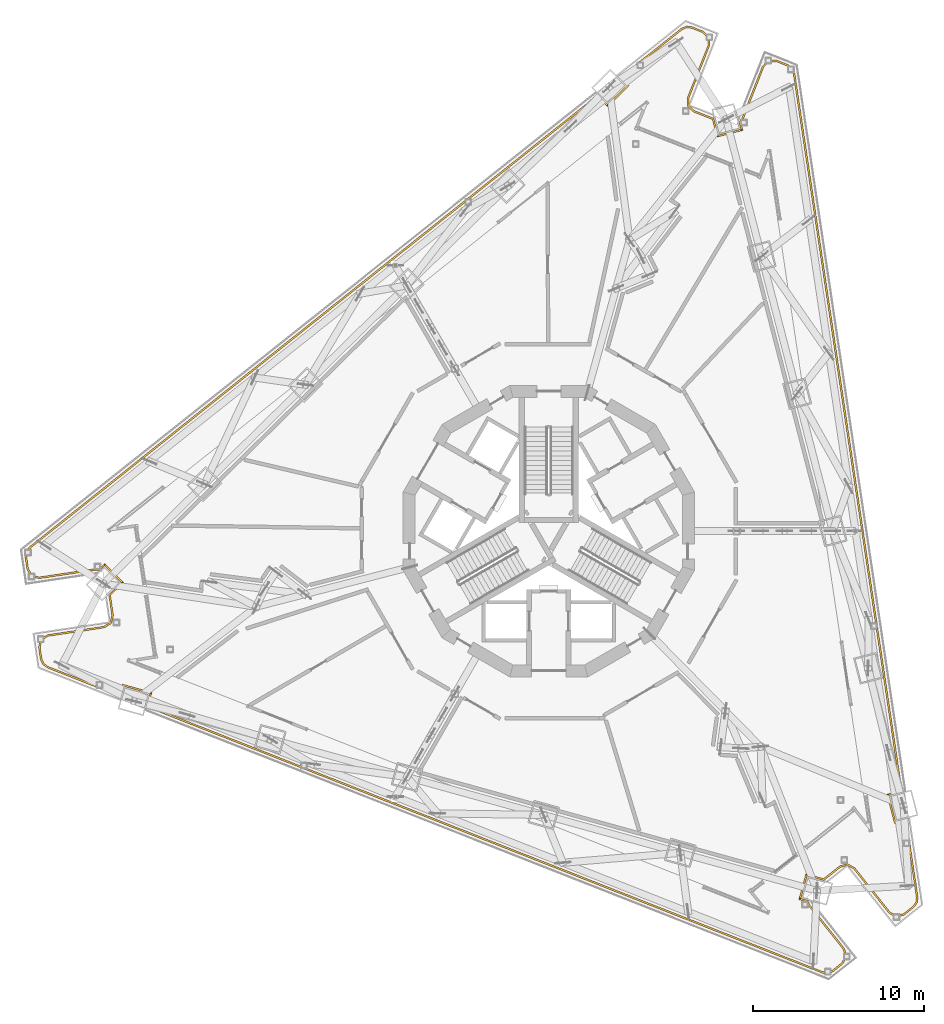
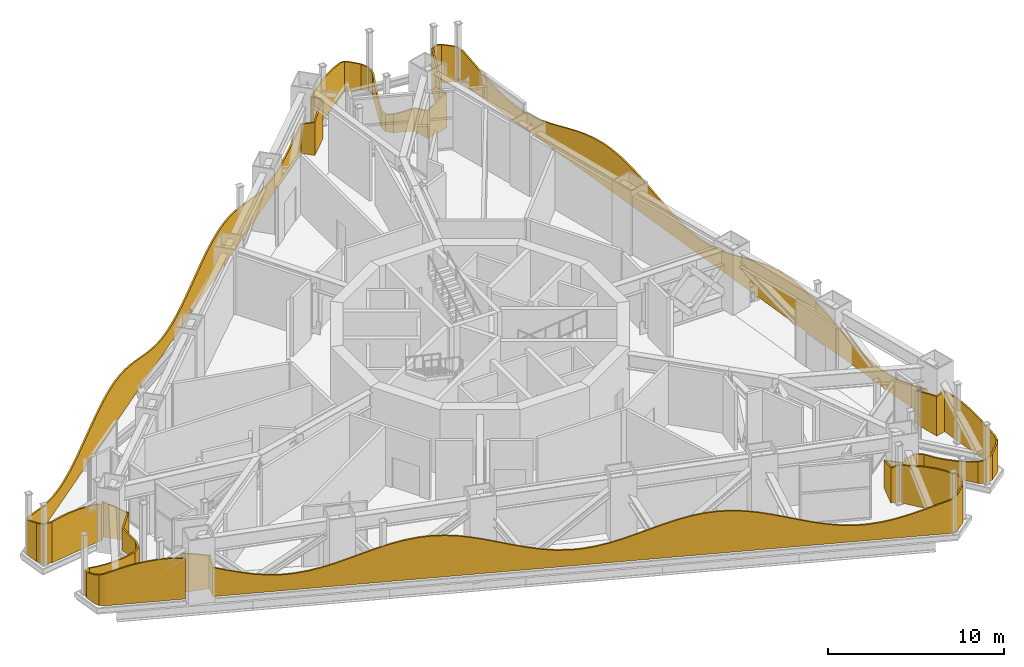
# One storey, part 22 of 27: 1 railing.
"""IFC4 building model written with IfcOpenShell, lengths in metres."""

import ifcopenshell
import ifcopenshell.guid

model = None  # the IFC model being written
_history = None  # IfcOwnerHistory: only IFC2X3 demands one
_inside = {}  # id of a spatial element -> (the spatial element, [elements in it])
_under = {}  # id of a project, library or spatial element -> (it, [spatial elements below it])
_declared = {}  # id of a project -> (the project, [libraries it declares])
_typed = {}  # id of a type object -> (the type object, [elements of that type])
_made_of = {}  # id of a material, layer set ... -> (it, [elements and type objects made of it])


def new_model(schema):
    """Start an empty IFC model of exactly this schema.

    Asked for "IFC4X3", IfcOpenShell would pick the latest addendum, in which some entities
    have other attributes; the version numbers below select the first issue.
    IFC2X3 requires an IfcOwnerHistory on every rooted entity: one is made here for all.
    """
    global model, _history
    if schema == "IFC4X3":
        model = ifcopenshell.file(schema_version=(4, 3, 0, 0))
    else:
        model = ifcopenshell.file(schema=schema)
    _inside.clear()
    _under.clear()
    _declared.clear()
    _typed.clear()
    _made_of.clear()
    _history = None
    if model.schema == "IFC2X3":
        org = make("IfcOrganization", Name="unknown")
        user = make(
            "IfcPersonAndOrganization",
            ThePerson=make("IfcPerson", FamilyName="unknown"),
            TheOrganization=org,
        )
        app = make(
            "IfcApplication",
            ApplicationDeveloper=org,
            Version="unknown",
            ApplicationFullName="unknown",
            ApplicationIdentifier="unknown",
        )
        _history = make(
            "IfcOwnerHistory",
            OwningUser=user,
            OwningApplication=app,
            ChangeAction="ADDED",
            CreationDate=0,
        )
    return model


def make(cls, **values):
    """One entity of the class cls with the attributes given. An attribute that is None is left unset."""
    return model.create_entity(
        cls, **{name: value for name, value in values.items() if value is not None}
    )


def rooted(cls, **values):
    """An entity with a GlobalId (a new one), such as an element, a storey or a relation."""
    return make(cls, GlobalId=ifcopenshell.guid.new(), OwnerHistory=_history, **values)


def si_unit(unit_type, name, prefix=None):
    """IfcSIUnit, for example si_unit("LENGTHUNIT", "METRE", prefix="MILLI")."""
    return make("IfcSIUnit", UnitType=unit_type, Prefix=prefix, Name=name)


def assignment(units):
    """IfcUnitAssignment: the units of a project."""
    return None if units is None else make("IfcUnitAssignment", Units=units)


def point(xyz):
    """IfcCartesianPoint."""
    return None if xyz is None else make("IfcCartesianPoint", Coordinates=xyz)


def direction(xyz):
    """IfcDirection."""
    return None if xyz is None else make("IfcDirection", DirectionRatios=xyz)


def frame(location, z_axis=None, x_axis=None):
    """IfcAxis2Placement3D, a coordinate frame: its origin and axes. An axis left out is left unset."""
    return make(
        "IfcAxis2Placement3D",
        Location=point(location),
        Axis=direction(z_axis),
        RefDirection=direction(x_axis),
    )


def origin():
    """The frame at (0, 0, 0) with its axes left unset."""
    return frame((0.0, 0.0, 0.0))


def place(relative_to, where):
    """IfcLocalPlacement: puts the frame where relative to a parent placement (None: the world)."""
    return make(
        "IfcLocalPlacement", PlacementRelTo=relative_to, RelativePlacement=where
    )


def context(
    kind, dimensions, precision=None, world=None, true_north=None, identifier=None
):
    """IfcGeometricRepresentationContext, for example the 3D "Model" context."""
    return make(
        "IfcGeometricRepresentationContext",
        ContextIdentifier=identifier,
        ContextType=kind,
        CoordinateSpaceDimension=dimensions,
        Precision=precision,
        WorldCoordinateSystem=world,
        TrueNorth=true_north,
    )


def subcontext(parent, identifier, kind, view, scale=None):
    """IfcGeometricRepresentationSubContext, for example "Body" below "Model"."""
    return make(
        "IfcGeometricRepresentationSubContext",
        ContextIdentifier=identifier,
        ContextType=kind,
        ParentContext=parent,
        TargetScale=scale,
        TargetView=view,
    )


def project(units=None, contexts=None):
    """IfcProject with its units and contexts."""
    return rooted(
        "IfcProject",
        Name="project",
        RepresentationContexts=contexts,
        UnitsInContext=assignment(units),
    )


def spatial(cls, under=None, at=None, **own):
    """A site, building, storey or space (cls), placed at a placement, below another one or the project."""
    s = rooted(cls, ObjectPlacement=at, **own)
    if under is not None:
        _under.setdefault(under.id(), (under, []))[1].append(s)
    return s


def polyline(points):
    """IfcPolyline through the points."""
    return make("IfcPolyline", Points=[point(p) for p in points])


def outline(outer, holes=None, kind="AREA"):
    """IfcArbitraryClosedProfileDef: a profile drawn as a closed curve; with holes, ...WithVoids."""
    if holes is None:
        return make("IfcArbitraryClosedProfileDef", ProfileType=kind, OuterCurve=outer)
    return make(
        "IfcArbitraryProfileDefWithVoids",
        ProfileType=kind,
        OuterCurve=outer,
        InnerCurves=holes,
    )


def extrude(swept, where, along, depth):
    """IfcExtrudedAreaSolid: the profile swept, set in the frame where, extruded along a direction by depth."""
    return make(
        "IfcExtrudedAreaSolid",
        SweptArea=swept,
        Position=where,
        ExtrudedDirection=direction(along),
        Depth=depth,
    )


def shape(context_of_items, identifier, shape_type, items):
    """IfcShapeRepresentation: the items that make up one representation, for example the "Body"."""
    return make(
        "IfcShapeRepresentation",
        ContextOfItems=context_of_items,
        RepresentationIdentifier=identifier,
        RepresentationType=shape_type,
        Items=items,
    )


def material(Name=None, Category=None):
    """IfcMaterial."""
    return make("IfcMaterial", Name=Name, Category=Category)


def layer(
    of_material, thickness, ventilated=None, Name=None, Category=None, Priority=None
):
    """IfcMaterialLayer: one layer of a wall or slab, of a material (None: an air gap)."""
    return make(
        "IfcMaterialLayer",
        Material=of_material,
        LayerThickness=thickness,
        IsVentilated=ventilated,
        Name=Name,
        Category=Category,
        Priority=Priority,
    )


def layer_set(layers, Name=None):
    """IfcMaterialLayerSet."""
    return make("IfcMaterialLayerSet", MaterialLayers=layers, LayerSetName=Name)


def made_of(thing, what):
    """Note that an element or type object is made of a material, layer set ...; save() writes the relation."""
    if what is not None:
        _made_of.setdefault(what.id(), (what, []))[1].append(thing)
    return thing


def type_object(cls, material=None, **own):
    """A type object (cls), such as IfcWallType, which elements share."""
    return made_of(rooted(cls, **own), material)


def element(
    cls,
    number,
    at=None,
    inside=None,
    cuts=None,
    type_object=None,
    material=None,
    context=None,
    identifier="Body",
    shape_type=None,
    held_by="IfcProductDefinitionShape",
    body=None,
    shapes=None,
    **own,
):
    """One element of the class cls, such as IfcWall. Its Tag is "e" and its number.

    at: its placement. inside: the storey or other place that contains it. cuts: it is an
    opening in that element (IfcRelVoidsElement). A single representation is given by context,
    identifier, shape_type and body (its items); several are given by shapes. held_by: the class
    of the entity that holds the representations. save() writes the other relations.
    """
    e = rooted(cls, Tag="e%d" % number, ObjectPlacement=at, **own)
    if body is not None:
        shapes = [shape(context, identifier, shape_type, body)]
    if shapes is not None:
        e.Representation = make(held_by, Representations=shapes)
    if inside is not None:
        _inside.setdefault(inside.id(), (inside, []))[1].append(e)
    if cuts is not None:
        rooted(
            "IfcRelVoidsElement", RelatingBuildingElement=cuts, RelatedOpeningElement=e
        )
    if type_object is not None:
        _typed.setdefault(type_object.id(), (type_object, []))[1].append(e)
    return made_of(e, material)


def aggregate(whole, parts):
    """IfcRelAggregates: a whole, such as a stair, and the parts it consists of."""
    return rooted("IfcRelAggregates", RelatingObject=whole, RelatedObjects=parts)


def save(model, path):
    """Write the relations noted so far, then the file.

    IfcRelAggregates (storeys below a building ...), IfcRelContainedInSpatialStructure (elements
    in a storey), IfcRelDefinesByType, IfcRelAssociatesMaterial and IfcRelDeclares: one each for
    every whole, place, type object, material and project.
    """
    for whole, parts in _under.values():
        aggregate(whole, parts)
    for where, things in _inside.values():
        rooted(
            "IfcRelContainedInSpatialStructure",
            RelatedElements=things,
            RelatingStructure=where,
        )
    for kind, things in _typed.values():
        rooted("IfcRelDefinesByType", RelatedObjects=things, RelatingType=kind)
    for what, things in _made_of.values():
        rooted("IfcRelAssociatesMaterial", RelatedObjects=things, RelatingMaterial=what)
    for by, libraries in _declared.values():
        rooted("IfcRelDeclares", RelatingContext=by, RelatedDefinitions=libraries)
    model.write(path)


model = new_model("IFC4")

# Units and contexts
model_context = context("Model", 3, precision=1e-05, world=origin(), true_north=direction((0.0, 1.0)))
body_context = subcontext(model_context, "Body", "Model", "MODEL_VIEW")
ifc_project = project(units=[si_unit("LENGTHUNIT", "METRE"), si_unit("AREAUNIT", "SQUARE_METRE"), si_unit("VOLUMEUNIT", "CUBIC_METRE"), si_unit("PLANEANGLEUNIT", "RADIAN"), si_unit("MASSUNIT", "GRAM", prefix="KILO")], contexts=[model_context])

# Site, building, storey
site_placement = place(None, origin())
site = spatial("IfcSite", under=ifc_project, at=site_placement, CompositionType="ELEMENT")
building_placement = place(site_placement, origin())
building = spatial("IfcBuilding", under=site, at=building_placement, Name="Trine Commons Tower", CompositionType="ELEMENT")
storey_placement = place(building_placement, frame((0.0, 0.0, 230.39990234375)))
storey = spatial("IfcBuildingStorey", under=building, at=storey_placement, Name="L60", CompositionType="ELEMENT", Elevation=230.39990234375)

# Railing
ifc_material = material(Name="White powder-coated aluminium", Category="aluminium")
ifc_layer = layer(ifc_material, 0.10009765625)
ifc_layer_set = layer_set([ifc_layer], Name="White powder-coated aluminium")
railing_type = type_object("IfcRailingType", Name="White balustrade band 100", PredefinedType="GUARDRAIL", material=ifc_layer_set)
railing_placement = place(storey_placement, origin())
element("IfcRailing", 1, at=railing_placement, inside=storey, type_object=railing_type, Name="Guard band L60", PredefinedType="GUARDRAIL", context=body_context, shape_type="SweptSolid", body=[
    extrude(outline(polyline([(0.0, 0.0), (0.90869140625, 0.0), (0.90869140625, 2.288818359375), (0.454345703125, 2.138916015625), (0.0, 1.984619140625), (0.0, 0.0)])), frame((56.520263671875, 52.251220703125, 0.0), z_axis=(0.96361406537, -0.267297461679, 0.0), x_axis=(0.267297461679, 0.96361406537, 0.0)), (0.0, 0.0, 1.0), 0.10009765625),
    extrude(outline(polyline([(0.0, 0.0), (1.771484375, 0.0), (1.771484375, 2.736572265625), (1.180908203125, 2.603759765625), (0.590576171875, 2.44091796875), (0.0, 2.256103515625), (0.0, 0.0)])), frame((56.833251953125, 53.002685546875, 0.0), z_axis=(0.267231566166, 0.963632341739, 0.0), x_axis=(-0.963632341739, 0.267231566166, 0.0)), (0.0, 0.0, 1.0), 0.10009765625),
    extrude(outline(polyline([(0.0, 0.0), (0.744140625, 0.0), (0.743896484375, 2.839599609375), (0.0, 2.71630859375), (0.0, 0.0)])), frame((55.25048828125, 53.54638671875, 0.0), z_axis=(-0.963672873652, 0.267085365731, 0.0), x_axis=(-0.267085365731, -0.963672873652, 0.0)), (0.0, 0.0, 1.0), 0.10009765625),
    extrude(outline(polyline([(0.0, 0.0), (4.6298828125, 0.0), (4.6298828125, 2.205810546875), (3.8583984375, 2.449462890625), (3.086669921875, 2.65478515625), (2.31494140625, 2.804931640625), (1.543212890625, 2.88671875), (1.08837890625, 2.900146484375), (0.771728515625, 2.8935546875), (0.0, 2.824951171875), (0.0, 0.0)])), frame((55.052490234375, 52.830078125, 0.0), z_axis=(0.366476104863, 0.930427463354, 0.0), x_axis=(-0.930427463354, 0.366476104863, 0.0)), (0.0, 0.0, 1.0), 0.10009765625),
    extrude(outline(polyline([(0.0, 0.0), (0.33251953125, 0.0), (0.33251953125, 2.099365234375), (0.0, 2.2109375), (0.0, 0.0)])), frame((50.746337890625, 54.52587890625, 0.0), z_axis=(0.594700672807, 0.803947205831, 0.0), x_axis=(-0.803947205831, 0.594700672807, 0.0)), (0.0, 0.0, 1.0), 0.10009765625),
    extrude(outline(polyline([(0.0, 0.0), (0.332275390625, 0.0), (0.332275390625, 1.99609375), (0.0, 2.10888671875), (0.0, 0.0)])), frame((50.47998046875, 54.72265625, 0.0), z_axis=(0.917233563796, 0.398349832995, 0.0), x_axis=(-0.398349832995, 0.917233563796, 0.0)), (0.0, 0.0, 1.0), 0.10009765625),
    extrude(outline(polyline([(0.0, 0.0), (0.720703125, 0.0), (0.720703125, 1.7587890625), (0.0, 2.001220703125), (0.0, 0.0)])), frame((50.34814453125, 55.02587890625, 0.0), z_axis=(0.988978560129, 0.148058797799, 0.0), x_axis=(-0.148058797799, 0.988978560129, 0.0)), (0.0, 0.0, 1.0), 0.10009765625),
    extrude(outline(polyline([(0.0, 0.0), (0.491455078125, 0.0), (0.4912109375, 1.609375), (0.0, 1.76611328125), (0.0, 0.0)])), frame((50.24169921875, 55.736572265625, 0.0), z_axis=(0.970288447449, -0.24195108751, 0.0), x_axis=(0.24195108751, 0.970288447449, 0.0)), (0.0, 0.0, 1.0), 0.10009765625),
    extrude(outline(polyline([(0.0, 0.0), (0.491455078125, 0.0), (0.491455078125, 1.47802734375), (0.0, 1.62255859375), (0.0, 0.0)])), frame((50.359619140625, 56.212158203125, 0.0), z_axis=(0.515226220168, -0.857054223519, 0.0), x_axis=(0.857054223519, 0.515226220168, 0.0)), (0.0, 0.0, 1.0), 0.10009765625),
    extrude(outline(polyline([(0.0, 0.0), (3.321533203125, 0.0), (3.32177734375, 1.139404296875), (2.6572265625, 1.10107421875), (2.53759765625, 1.10009765625), (1.992919921875, 1.119140625), (1.32861328125, 1.192626953125), (0.664306640625, 1.31689453125), (0.0, 1.484130859375), (0.0, 0.0)])), frame((50.779541015625, 56.46484375, 0.0), z_axis=(0.14773660454, -0.98902674164, 0.0), x_axis=(0.98902674164, 0.14773660454, 0.0)), (0.0, 0.0, 1.0), 0.10009765625),
    extrude(outline(polyline([(0.0, 0.0), (0.491455078125, 0.0), (0.491455078125, 1.19970703125), (0.0, 1.13720703125), (0.0, 0.0)])), frame((54.0263671875, 56.942138671875, 0.0), z_axis=(0.515226220168, -0.857054223519, 0.0), x_axis=(0.857054223519, 0.515226220168, 0.0)), (0.0, 0.0, 1.0), 0.10009765625),
    extrude(outline(polyline([(0.0, 0.0), (0.491455078125, 0.0), (0.491455078125, 1.280517578125), (0.0, 1.193115234375), (0.0, 0.0)])), frame((54.401123046875, 57.1328125, 0.0), z_axis=(0.970288447449, -0.24195108751, 0.0), x_axis=(0.24195108751, 0.970288447449, 0.0)), (0.0, 0.0, 1.0), 0.10009765625),
    extrude(outline(polyline([(0.0, 0.0), (1.236572265625, 0.0), (1.236572265625, 1.59521484375), (0.618408203125, 1.419677734375), (0.0, 1.276123046875), (0.0, 0.0)])), frame((54.51806640625, 57.56884765625, 0.0), z_axis=(0.989004316751, 0.147886650678, 0.0), x_axis=(-0.147886650678, 0.989004316751, 0.0)), (0.0, 0.0, 1.0), 0.10009765625),
    extrude(outline(polyline([(0.0, 0.0), (1.120361328125, 0.0), (1.12060546875, 1.943603515625), (0.560302734375, 1.755859375), (0.0, 1.5791015625), (0.0, 0.0)])), frame((54.3349609375, 58.7900390625, 0.0), z_axis=(0.70097930277, -0.713181615781, 0.0), x_axis=(0.713181615781, 0.70097930277, 0.0)), (0.0, 0.0, 1.0), 0.10009765625),
    extrude(outline(polyline([(0.0, 0.0), (1.571533203125, 0.0), (1.571533203125, 2.426025390625), (0.785888671875, 2.17529296875), (0.0, 1.908935546875), (0.0, 0.0)])), frame((55.132568359375, 59.43212890625, 0.0), z_axis=(0.713370493476, 0.700787085381, 0.0), x_axis=(-0.700787085381, 0.713370493476, 0.0)), (0.0, 0.0, 1.0), 0.10009765625),
    extrude(outline(polyline([(0.0, 0.0), (0.5576171875, 0.0), (0.5576171875, 2.55615234375), (0.0, 2.3955078125), (0.0, 0.0)])), frame((54.17333984375, 60.5517578125, 0.0), z_axis=(-0.70095072632, 0.713209702171, 0.0), x_axis=(-0.713209702171, -0.70095072632, 0.0)), (0.0, 0.0, 1.0), 0.10009765625),
    extrude(outline(polyline([(0.0, 0.0), (0.248046875, 0.0), (0.247802734375, 2.605712890625), (0.0, 2.54052734375), (0.0, 0.0)])), frame((53.77685546875, 60.161376953125, 0.0), z_axis=(0.241145820502, 0.970488893937, 0.0), x_axis=(-0.970488893937, 0.241145820502, 0.0)), (0.0, 0.0, 1.0), 0.10009765625),
    extrude(outline(polyline([(0.0, 0.0), (3.321533203125, 0.0), (3.321533203125, 2.823486328125), (2.6572265625, 2.887939453125), (2.222412109375, 2.900146484375), (1.992919921875, 2.896728515625), (1.32861328125, 2.84912109375), (0.664306640625, 2.748291015625), (0.0, 2.60009765625), (0.0, 0.0)])), frame((53.576416015625, 60.21923828125, 0.0), z_axis=(-0.147808499931, 0.989015999541, 0.0), x_axis=(-0.989015999541, -0.147808499931, 0.0)), (0.0, 0.0, 1.0), 0.10009765625),
    extrude(outline(polyline([(0.0, 0.0), (0.491943359375, 0.0), (0.49169921875, 2.74609375), (0.0, 2.826416015625), (0.0, 0.0)])), frame((50.293212890625, 59.728271484375, 0.0), z_axis=(0.241718036207, 0.970346531386, 0.0), x_axis=(-0.970346531386, 0.241718036207, 0.0)), (0.0, 0.0, 1.0), 0.10009765625),
    extrude(outline(polyline([(0.0, 0.0), (0.491943359375, 0.0), (0.4921875, 2.650146484375), (0.0, 2.754150390625), (0.0, 0.0)])), frame((49.8173828125, 59.84619140625, 0.0), z_axis=(0.857098558847, 0.515152463279, 0.0), x_axis=(-0.515152463279, 0.857098558847, 0.0)), (0.0, 0.0, 1.0), 0.10009765625),
    extrude(outline(polyline([(0.0, 0.0), (0.720458984375, 0.0), (0.720458984375, 2.46484375), (0.0, 2.6552734375), (0.0, 0.0)])), frame((49.564697265625, 60.2666015625, 0.0), z_axis=(0.989028117622, 0.147727392697, 0.0), x_axis=(-0.147727392697, 0.989028117622, 0.0)), (0.0, 0.0, 1.0), 0.10009765625),
    extrude(outline(polyline([(0.0, 0.0), (0.331787109375, 0.0), (0.331787109375, 2.369384765625), (0.0, 2.46923828125), (0.0, 0.0)])), frame((49.45849609375, 60.977294921875, 0.0), z_axis=(0.993556372737, -0.11333902326, 0.0), x_axis=(0.11333902326, 0.993556372737, 0.0)), (0.0, 0.0, 1.0), 0.10009765625),
    extrude(outline(polyline([(0.0, 0.0), (0.33203125, 0.0), (0.33203125, 2.27294921875), (0.0, 2.378173828125), (0.0, 0.0)])), frame((49.49560546875, 61.3056640625, 0.0), z_axis=(0.803778600764, -0.594928534325, 0.0), x_axis=(0.594928534325, 0.803778600764, 0.0)), (0.0, 0.0, 1.0), 0.10009765625),
    extrude(outline(polyline([(0.0, 0.0), (42.387939453125, 0.0), (42.387939453125, 2.015869140625), (41.588134765625, 1.746826171875), (40.788330078125, 1.5009765625), (39.988525390625, 1.300537109375), (39.188720703125, 1.16357421875), (38.388916015625, 1.1025390625), (38.190673828125, 1.10009765625), (37.58935546875, 1.123291015625), (36.78955078125, 1.2236328125), (35.98974609375, 1.39453125), (35.18994140625, 1.62060546875), (34.39013671875, 1.880859375), (33.59033203125, 2.152099609375), (32.79052734375, 2.40966796875), (31.990966796875, 2.6298828125), (31.191162109375, 2.79296875), (30.391357421875, 2.8837890625), (29.887939453125, 2.900146484375), (29.591552734375, 2.894287109375), (28.791748046875, 2.82373046875), (27.991943359375, 2.67822265625), (27.192138671875, 2.47119140625), (26.392578125, 2.22119140625), (25.5927734375, 1.951171875), (24.79296875, 1.685546875), (23.9931640625, 1.448486328125), (23.193359375, 1.26171875), (22.3935546875, 1.141845703125), (21.59375, 1.10009765625), (21.585205078125, 1.10009765625), (20.794189453125, 1.14013671875), (19.994384765625, 1.25830078125), (19.194580078125, 1.44384765625), (18.394775390625, 1.68017578125), (17.594970703125, 1.9453125), (16.795166015625, 2.215576171875), (15.995361328125, 2.466064453125), (15.19580078125, 2.67431640625), (14.39599609375, 2.8212890625), (13.59619140625, 2.893798828125), (13.28271484375, 2.900146484375), (12.79638671875, 2.885009765625), (11.99658203125, 2.795654296875), (11.19677734375, 2.634033203125), (10.39697265625, 2.414794921875), (9.597412109375, 2.157958984375), (8.797607421875, 1.88671875), (7.997802734375, 1.625732421875), (7.197998046875, 1.39892578125), (6.398193359375, 1.2265625), (5.598388671875, 1.12451171875), (4.97998046875, 1.10009765625), (4.798583984375, 1.102294921875), (3.998779296875, 1.161376953125), (3.19921875, 1.296875), (2.3994140625, 1.49609375), (1.599609375, 1.7412109375), (0.7998046875, 2.010009765625), (0.0, 2.277587890625), (0.0, 0.0)])), frame((49.69189453125, 61.5712890625, 0.0), z_axis=(0.622516590784, -0.78260660245, 0.0), x_axis=(0.78260660245, 0.622516590784, 0.0)), (0.0, 0.0, 1.0), 0.10009765625),
    extrude(outline(polyline([(0.0, 0.0), (0.909423828125, 0.0), (0.909423828125, 2.2890625), (0.45458984375, 2.138916015625), (0.0, 1.984619140625), (0.0, 0.0)])), frame((82.86376953125, 87.958740234375, 0.0), z_axis=(-0.713254022669, -0.700905627846, 0.0), x_axis=(0.700905627846, -0.713254022669, 0.0)), (0.0, 0.0, 1.0), 0.10009765625),
    extrude(outline(polyline([(0.0, 0.0), (1.771728515625, 0.0), (1.771484375, 2.73681640625), (1.180908203125, 2.603759765625), (0.590576171875, 2.44091796875), (0.0, 2.256103515625), (0.0, 0.0)])), frame((83.358642578125, 87.3115234375, 0.0), z_axis=(0.700878344861, -0.713280832285, 0.0), x_axis=(0.713280832285, 0.700878344861, 0.0)), (0.0, 0.0, 1.0), 0.10009765625),
    extrude(outline(polyline([(0.0, 0.0), (0.744140625, 0.0), (0.744384765625, 2.839599609375), (0.0, 2.71630859375), (0.0, 0.0)])), frame((84.62060546875, 88.41064453125, 0.0), z_axis=(0.713474515722, 0.700681179578, 0.0), x_axis=(-0.700681179578, 0.713474515722, 0.0)), (0.0, 0.0, 1.0), 0.10009765625),
    extrude(outline(polyline([(0.0, 0.0), (4.630126953125, 0.0), (4.630126953125, 2.205810546875), (3.8583984375, 2.44921875), (3.0869140625, 2.65478515625), (2.315185546875, 2.8046875), (1.54345703125, 2.88671875), (1.087890625, 2.900146484375), (0.771728515625, 2.893798828125), (0.0, 2.824951171875), (0.0, 0.0)])), frame((84.099365234375, 88.940185546875, 0.0), z_axis=(0.622519161994, -0.7826045572, 0.0), x_axis=(0.7826045572, 0.622519161994, 0.0)), (0.0, 0.0, 1.0), 0.10009765625),
    extrude(outline(polyline([(0.0, 0.0), (0.33203125, 0.0), (0.33203125, 2.099609375), (0.0, 2.210693359375), (0.0, 0.0)])), frame((87.72119140625, 91.821533203125, 0.0), z_axis=(0.398618537627, -0.917116819964, 0.0), x_axis=(0.917116819964, 0.398618537627, 0.0)), (0.0, 0.0, 1.0), 0.10009765625),
    extrude(outline(polyline([(0.0, 0.0), (0.332275390625, 0.0), (0.332275390625, 1.99609375), (0.0, 2.109130859375), (0.0, 0.0)])), frame((88.024169921875, 91.953857421875, 0.0), z_axis=(-0.113173511, -0.99357523943, 0.0), x_axis=(0.99357523943, -0.113173511, 0.0)), (0.0, 0.0, 1.0), 0.10009765625),
    extrude(outline(polyline([(0.0, 0.0), (0.72021484375, 0.0), (0.72021484375, 1.7587890625), (0.0, 2.0009765625), (0.0, 0.0)])), frame((88.35302734375, 91.91650390625, 0.0), z_axis=(-0.366417815723, -0.93045042013, 0.0), x_axis=(0.93045042013, -0.366417815723, 0.0)), (0.0, 0.0, 1.0), 0.10009765625),
    extrude(outline(polyline([(0.0, 0.0), (0.4912109375, 0.0), (0.491455078125, 1.609375), (0.0, 1.765869140625), (0.0, 0.0)])), frame((89.02197265625, 91.653076171875, 0.0), z_axis=(-0.694825092348, -0.719178761536, 0.0), x_axis=(0.719178761536, -0.694825092348, 0.0)), (0.0, 0.0, 1.0), 0.10009765625),
    extrude(outline(polyline([(0.0, 0.0), (0.49169921875, 0.0), (0.49169921875, 1.477783203125), (0.0, 1.62255859375), (0.0, 0.0)])), frame((89.374755859375, 91.313232421875, 0.0), z_axis=(-0.999849030643, -0.017375727941, 0.0), x_axis=(0.017375727941, -0.999849030643, 0.0)), (0.0, 0.0, 1.0), 0.10009765625),
    extrude(outline(polyline([(0.0, 0.0), (3.322021484375, 0.0), (3.32177734375, 1.139404296875), (2.657470703125, 1.10107421875), (2.537353515625, 1.10009765625), (1.9931640625, 1.119140625), (1.32861328125, 1.192626953125), (0.664306640625, 1.31689453125), (0.0, 1.48388671875), (0.0, 0.0)])), frame((89.383544921875, 90.823486328125, 0.0), z_axis=(-0.93041522781, 0.366507167542, 0.0), x_axis=(-0.366507167542, -0.93041522781, 0.0)), (0.0, 0.0, 1.0), 0.10009765625),
    extrude(outline(polyline([(0.0, 0.0), (0.4921875, 0.0), (0.4921875, 1.19970703125), (0.0, 1.13720703125), (0.0, 0.0)])), frame((88.17333984375, 87.773193359375, 0.0), z_axis=(-0.999840599345, -0.017854296417, 0.0), x_axis=(0.017854296417, -0.999840599345, 0.0)), (0.0, 0.0, 1.0), 0.10009765625),
    extrude(outline(polyline([(0.0, 0.0), (0.490966796875, 0.0), (0.490966796875, 1.280517578125), (0.0, 1.193115234375), (0.0, 0.0)])), frame((88.151123046875, 87.352783203125, 0.0), z_axis=(-0.694816381159, -0.719187177634, 0.0), x_axis=(0.719187177634, -0.694816381159, 0.0)), (0.0, 0.0, 1.0), 0.10009765625),
    extrude(outline(polyline([(0.0, 0.0), (1.236083984375, 0.0), (1.236083984375, 1.594970703125), (0.6181640625, 1.419677734375), (0.0, 1.276123046875), (0.0, 0.0)])), frame((88.470458984375, 87.03369140625, 0.0), z_axis=(-0.366550421777, -0.930398188033, 0.0), x_axis=(0.930398188033, -0.366550421777, 0.0)), (0.0, 0.0, 1.0), 0.10009765625),
    extrude(outline(polyline([(0.0, 0.0), (1.119873046875, 0.0), (1.119873046875, 1.943359375), (0.559814453125, 1.755859375), (0.0, 1.5791015625), (0.0, 0.0)])), frame((89.61962890625, 86.581298828125, 0.0), z_axis=(-0.968175151171, -0.25027360359, 0.0), x_axis=(0.25027360359, -0.968175151171, 0.0)), (0.0, 0.0, 1.0), 0.10009765625),
    extrude(outline(polyline([(0.0, 0.0), (1.57177734375, 0.0), (1.57177734375, 2.42626953125), (0.785888671875, 2.17529296875), (0.0, 1.908935546875), (0.0, 0.0)])), frame((89.77734375, 85.569580078125, 0.0), z_axis=(0.25038533211, -0.968146262434, 0.0), x_axis=(0.968146262434, 0.25038533211, 0.0)), (0.0, 0.0, 1.0), 0.10009765625),
    extrude(outline(polyline([(0.0, 0.0), (0.55859375, 0.0), (0.55859375, 2.55615234375), (0.0, 2.3955078125), (0.0, 0.0)])), frame((91.2265625, 85.84033203125, 0.0), z_axis=(0.968130468818, 0.250446392159, 0.0), x_axis=(-0.250446392159, 0.968130468818, 0.0)), (0.0, 0.0, 1.0), 0.10009765625),
    extrude(outline(polyline([(0.0, 0.0), (0.248046875, 0.0), (0.248046875, 2.605712890625), (0.0, 2.540771484375), (0.0, 0.0)])), frame((91.086669921875, 86.379638671875, 0.0), z_axis=(0.719299723045, -0.694699869316, 0.0), x_axis=(0.694699869316, 0.719299723045, 0.0)), (0.0, 0.0, 1.0), 0.10009765625),
    extrude(outline(polyline([(0.0, 0.0), (3.32177734375, 0.0), (3.32177734375, 2.8232421875), (2.657470703125, 2.887939453125), (2.22216796875, 2.900146484375), (1.992919921875, 2.896728515625), (1.32861328125, 2.84912109375), (0.664306640625, 2.748291015625), (0.0, 2.600341796875), (0.0, 0.0)])), frame((91.236572265625, 86.52392578125, 0.0), z_axis=(0.930430417623, -0.366468604334, 0.0), x_axis=(0.366468604334, 0.930430417623, 0.0)), (0.0, 0.0, 1.0), 0.10009765625),
    extrude(outline(polyline([(0.0, 0.0), (0.491455078125, 0.0), (0.4912109375, 2.74609375), (0.0, 2.826416015625), (0.0, 0.0)])), frame((92.453125, 89.612548828125, 0.0), z_axis=(0.719418582133, -0.694576780264, 0.0), x_axis=(0.694576780264, 0.719418582133, 0.0)), (0.0, 0.0, 1.0), 0.10009765625),
    extrude(outline(polyline([(0.0, 0.0), (0.491455078125, 0.0), (0.491455078125, 2.650390625), (0.0, 2.754150390625), (0.0, 0.0)])), frame((92.79296875, 89.965576171875, 0.0), z_axis=(0.017880896405, -0.999840123992, 0.0), x_axis=(0.999840123992, 0.017880896405, 0.0)), (0.0, 0.0, 1.0), 0.10009765625),
    extrude(outline(polyline([(0.0, 0.0), (0.720703125, 0.0), (0.720703125, 2.465087890625), (0.0, 2.655517578125), (0.0, 0.0)])), frame((93.28271484375, 89.974609375, 0.0), z_axis=(-0.366480093067, -0.930425892474, 0.0), x_axis=(0.930425892474, -0.366480093067, 0.0)), (0.0, 0.0, 1.0), 0.10009765625),
    extrude(outline(polyline([(0.0, 0.0), (0.33203125, 0.0), (0.331787109375, 2.369384765625), (0.0, 2.46923828125), (0.0, 0.0)])), frame((93.9521484375, 89.711181640625, 0.0), z_axis=(-0.594928534325, -0.803778600764, 0.0), x_axis=(0.803778600764, -0.594928534325, 0.0)), (0.0, 0.0, 1.0), 0.10009765625),
    extrude(outline(polyline([(0.0, 0.0), (0.332275390625, 0.0), (0.332275390625, 2.272705078125), (0.0, 2.378173828125), (0.0, 0.0)])), frame((94.218017578125, 89.5146484375, 0.0), z_axis=(-0.916964893571, -0.398967898405, 0.0), x_axis=(0.398967898405, -0.916964893571, 0.0)), (0.0, 0.0, 1.0), 0.10009765625),
    extrude(outline(polyline([(0.0, 0.0), (42.38818359375, 0.0), (42.38818359375, 2.015869140625), (41.58837890625, 1.7470703125), (40.78857421875, 1.5009765625), (39.98876953125, 1.300537109375), (39.18896484375, 1.16357421875), (38.38916015625, 1.1025390625), (38.1904296875, 1.10009765625), (37.589599609375, 1.123291015625), (36.789794921875, 1.2236328125), (35.989990234375, 1.39453125), (35.190185546875, 1.620361328125), (34.390380859375, 1.880859375), (33.590576171875, 2.152099609375), (32.790771484375, 2.40966796875), (31.990966796875, 2.6298828125), (31.19140625, 2.792724609375), (30.3916015625, 2.8837890625), (29.8876953125, 2.900146484375), (29.591796875, 2.89453125), (28.7919921875, 2.82373046875), (27.9921875, 2.67822265625), (27.1923828125, 2.47119140625), (26.392578125, 2.22119140625), (25.5927734375, 1.951171875), (24.793212890625, 1.685546875), (23.993408203125, 1.448486328125), (23.193603515625, 1.26171875), (22.393798828125, 1.141845703125), (21.593994140625, 1.10009765625), (21.585205078125, 1.10009765625), (20.794189453125, 1.14013671875), (19.994384765625, 1.25830078125), (19.194580078125, 1.44384765625), (18.394775390625, 1.679931640625), (17.59521484375, 1.9453125), (16.79541015625, 2.21533203125), (15.99560546875, 2.466064453125), (15.19580078125, 2.67431640625), (14.39599609375, 2.8212890625), (13.59619140625, 2.893798828125), (13.282470703125, 2.900146484375), (12.79638671875, 2.885009765625), (11.99658203125, 2.795654296875), (11.197021484375, 2.634033203125), (10.397216796875, 2.414794921875), (9.597412109375, 2.157958984375), (8.797607421875, 1.88671875), (7.997802734375, 1.6259765625), (7.197998046875, 1.39892578125), (6.398193359375, 1.2265625), (5.598388671875, 1.12451171875), (4.979736328125, 1.10009765625), (4.798583984375, 1.102294921875), (3.998779296875, 1.161376953125), (3.19921875, 1.296875), (2.3994140625, 1.49609375), (1.599609375, 1.7412109375), (0.7998046875, 2.010009765625), (0.0, 2.277587890625), (0.0, 0.0)])), frame((94.349853515625, 89.211669921875, 0.0), z_axis=(-0.989015845425, -0.147809531148, 0.0), x_axis=(0.147809531148, -0.989015845425, 0.0)), (0.0, 0.0, 1.0), 0.10009765625),
    extrude(outline(polyline([(0.0, 0.0), (0.90966796875, 0.0), (0.90966796875, 2.2890625), (0.454833984375, 2.138916015625), (0.0, 1.984619140625), (0.0, 0.0)])), frame((100.61572265625, 47.290771484375, 0.0), z_axis=(-0.250673407422, 0.968071713672, 0.0), x_axis=(-0.968071713672, -0.250673407422, 0.0)), (0.0, 0.0, 1.0), 0.10009765625),
    extrude(outline(polyline([(0.0, 0.0), (1.771484375, 0.0), (1.771484375, 2.736572265625), (1.18115234375, 2.603759765625), (0.590576171875, 2.440673828125), (0.0, 2.255859375), (0.0, 0.0)])), frame((99.807861328125, 47.185791015625, 0.0), z_axis=(-0.968140575485, -0.250407320378, 0.0), x_axis=(0.250407320378, -0.968140575485, 0.0)), (0.0, 0.0, 1.0), 0.10009765625),
    extrude(outline(polyline([(0.0, 0.0), (0.74365234375, 0.0), (0.74365234375, 2.839599609375), (0.0, 2.71630859375), (0.0, 0.0)])), frame((100.129150390625, 45.54296875, 0.0), z_axis=(0.250483621168, -0.968120837255, 0.0), x_axis=(0.968120837255, 0.250483621168, 0.0)), (0.0, 0.0, 1.0), 0.10009765625),
    extrude(outline(polyline([(0.0, 0.0), (4.629638671875, 0.0), (4.629638671875, 2.205810546875), (3.85791015625, 2.449462890625), (3.08642578125, 2.65478515625), (2.314697265625, 2.804931640625), (1.543212890625, 2.88671875), (1.087890625, 2.900146484375), (0.771484375, 2.893798828125), (0.0, 2.824951171875), (0.0, 0.0)])), frame((100.848388671875, 45.7294921875, 0.0), z_axis=(-0.98901550513, -0.147811808098, 0.0), x_axis=(0.147811808098, -0.98901550513, 0.0)), (0.0, 0.0, 1.0), 0.10009765625),
    extrude(outline(polyline([(0.0, 0.0), (0.332275390625, 0.0), (0.332275390625, 2.099365234375), (0.0, 2.210693359375), (0.0, 0.0)])), frame((101.53271484375, 41.15234375, 0.0), z_axis=(-0.99357523943, 0.113173511, 0.0), x_axis=(-0.113173511, -0.99357523943, 0.0)), (0.0, 0.0, 1.0), 0.10009765625),
    extrude(outline(polyline([(0.0, 0.0), (0.332275390625, 0.0), (0.33251953125, 1.99609375), (0.0, 2.109130859375), (0.0, 0.0)])), frame((101.49560546875, 40.82373046875, 0.0), z_axis=(-0.803687312653, 0.595051849405, 0.0), x_axis=(-0.595051849405, -0.803687312653, 0.0)), (0.0, 0.0, 1.0), 0.10009765625),
    extrude(outline(polyline([(0.0, 0.0), (0.720947265625, 0.0), (0.720947265625, 1.7587890625), (0.0, 2.001220703125), (0.0, 0.0)])), frame((101.29931640625, 40.558349609375, 0.0), z_axis=(-0.622669660232, 0.782484820444, 0.0), x_axis=(-0.782484820444, -0.622669660232, 0.0)), (0.0, 0.0, 1.0), 0.10009765625),
    extrude(outline(polyline([(0.0, 0.0), (0.49169921875, 0.0), (0.49169921875, 1.609130859375), (0.0, 1.765869140625), (0.0, 0.0)])), frame((100.736328125, 40.110107421875, 0.0), z_axis=(-0.2755735507, 0.96127998947, 0.0), x_axis=(-0.96127998947, -0.2755735507, 0.0)), (0.0, 0.0, 1.0), 0.10009765625),
    extrude(outline(polyline([(0.0, 0.0), (0.4912109375, 0.0), (0.490966796875, 1.47802734375), (0.0, 1.62255859375), (0.0, 0.0)])), frame((100.265625, 39.974853515625, 0.0), z_axis=(0.484587597255, 0.87474273966, 0.0), x_axis=(-0.87474273966, 0.484587597255, 0.0)), (0.0, 0.0, 1.0), 0.10009765625),
    extrude(outline(polyline([(0.0, 0.0), (3.321533203125, 0.0), (3.3212890625, 1.139404296875), (2.656982421875, 1.10107421875), (2.537353515625, 1.10009765625), (1.992919921875, 1.119140625), (1.32861328125, 1.192626953125), (0.664306640625, 1.31689453125), (0.0, 1.48388671875), (0.0, 0.0)])), frame((99.837158203125, 40.2119140625, 0.0), z_axis=(0.782608379048, 0.622514357299, 0.0), x_axis=(-0.622514357299, 0.782608379048, 0.0)), (0.0, 0.0, 1.0), 0.10009765625),
    extrude(outline(polyline([(0.0, 0.0), (0.49169921875, 0.0), (0.49169921875, 1.19970703125), (0.0, 1.13720703125), (0.0, 0.0)])), frame((97.800537109375, 42.78515625, 0.0), z_axis=(0.484546586951, 0.874765457179, 0.0), x_axis=(-0.874765457179, 0.484546586951, 0.0)), (0.0, 0.0, 1.0), 0.10009765625),
    extrude(outline(polyline([(0.0, 0.0), (0.491943359375, 0.0), (0.49169921875, 1.280517578125), (0.0, 1.19287109375), (0.0, 0.0)])), frame((97.447998046875, 43.0146484375, 0.0), z_axis=(-0.275442078706, 0.961317669284, 0.0), x_axis=(-0.961317669284, -0.275442078706, 0.0)), (0.0, 0.0, 1.0), 0.10009765625),
    extrude(outline(polyline([(0.0, 0.0), (1.236328125, 0.0), (1.236083984375, 1.594970703125), (0.6181640625, 1.419677734375), (0.0, 1.276123046875), (0.0, 0.0)])), frame((97.011474609375, 42.8974609375, 0.0), z_axis=(-0.622476832742, 0.782638225938, 0.0), x_axis=(-0.782638225938, -0.622476832742, 0.0)), (0.0, 0.0, 1.0), 0.10009765625),
    extrude(outline(polyline([(0.0, 0.0), (1.1201171875, 0.0), (1.1201171875, 1.943603515625), (0.56005859375, 1.755859375), (0.0, 1.5791015625), (0.0, 0.0)])), frame((96.045166015625, 42.12841796875, 0.0), z_axis=(0.267227889818, 0.963633361244, 0.0), x_axis=(-0.963633361244, 0.267227889818, 0.0)), (0.0, 0.0, 1.0), 0.10009765625),
    extrude(outline(polyline([(0.0, 0.0), (1.57177734375, 0.0), (1.572021484375, 2.42626953125), (0.785888671875, 2.17529296875), (0.0, 1.908935546875), (0.0, 0.0)])), frame((95.09033203125, 42.49755859375, 0.0), z_axis=(-0.963651309006, 0.267163161104, 0.0), x_axis=(-0.267163161104, -0.963651309006, 0.0)), (0.0, 0.0, 1.0), 0.10009765625),
    extrude(outline(polyline([(0.0, 0.0), (0.557861328125, 0.0), (0.55810546875, 2.55615234375), (0.0, 2.3955078125), (0.0, 0.0)])), frame((94.600341796875, 41.107666015625, 0.0), z_axis=(-0.267373018272, -0.963593103493, 0.0), x_axis=(0.963593103493, -0.267373018272, 0.0)), (0.0, 0.0, 1.0), 0.10009765625),
    extrude(outline(polyline([(0.0, 0.0), (0.248046875, 0.0), (0.248291015625, 2.605712890625), (0.0, 2.54052734375), (0.0, 0.0)])), frame((95.136962890625, 40.95947265625, 0.0), z_axis=(-0.961300854604, -0.275500756693, 0.0), x_axis=(0.275500756693, -0.961300854604, 0.0)), (0.0, 0.0, 1.0), 0.10009765625),
    extrude(outline(polyline([(0.0, 0.0), (3.321044921875, 0.0), (3.3212890625, 2.823486328125), (2.656982421875, 2.887939453125), (2.22216796875, 2.900146484375), (1.99267578125, 2.896728515625), (1.32861328125, 2.84912109375), (0.664306640625, 2.748291015625), (0.0, 2.600341796875), (0.0, 0.0)])), frame((95.18701171875, 40.7568359375, 0.0), z_axis=(-0.782615705326, -0.622505146788, 0.0), x_axis=(0.622505146788, -0.782615705326, 0.0)), (0.0, 0.0, 1.0), 0.10009765625),
    extrude(outline(polyline([(0.0, 0.0), (0.491455078125, 0.0), (0.491455078125, 2.74609375), (0.0, 2.826416015625), (0.0, 0.0)])), frame((97.25390625, 38.158935546875, 0.0), z_axis=(-0.961242255662, -0.275705143097, 0.0), x_axis=(0.275705143097, -0.961242255662, 0.0)), (0.0, 0.0, 1.0), 0.10009765625),
    extrude(outline(polyline([(0.0, 0.0), (0.49169921875, 0.0), (0.49169921875, 2.650390625), (0.0, 2.754150390625), (0.0, 0.0)])), frame((97.389404296875, 37.68798828125, 0.0), z_axis=(-0.874438200142, 0.485136923077, 0.0), x_axis=(-0.485136923077, -0.874438200142, 0.0)), (0.0, 0.0, 1.0), 0.10009765625),
    extrude(outline(polyline([(0.0, 0.0), (0.720947265625, 0.0), (0.720947265625, 2.465087890625), (0.0, 2.655517578125), (0.0, 0.0)])), frame((97.15234375, 37.259521484375, 0.0), z_axis=(-0.622462281047, 0.78264979951, 0.0), x_axis=(-0.78264979951, -0.622462281047, 0.0)), (0.0, 0.0, 1.0), 0.10009765625),
    extrude(outline(polyline([(0.0, 0.0), (0.332763671875, 0.0), (0.332763671875, 2.369384765625), (0.0, 2.469482421875), (0.0, 0.0)])), frame((96.58984375, 36.811767578125, 0.0), z_axis=(-0.398430954134, 0.917198329037, 0.0), x_axis=(-0.917198329037, -0.398430954134, 0.0)), (0.0, 0.0, 1.0), 0.10009765625),
    extrude(outline(polyline([(0.0, 0.0), (0.331787109375, 0.0), (0.331787109375, 2.27294921875), (0.0, 2.378173828125), (0.0, 0.0)])), frame((96.286376953125, 36.679443359375, 0.0), z_axis=(0.11333902326, 0.993556372737, 0.0), x_axis=(-0.993556372737, 0.11333902326, 0.0)), (0.0, 0.0, 1.0), 0.10009765625),
    extrude(outline(polyline([(0.0, 0.0), (0.746337890625, 0.0), (0.74609375, 2.028076171875), (0.0, 2.277587890625), (0.0, 0.0)])), frame((95.9580078125, 36.716796875, 0.0), z_axis=(0.366421530299, 0.930448957296, 0.0), x_axis=(-0.930448957296, 0.366421530299, 0.0)), (0.0, 0.0, 1.0), 0.10009765625),
    extrude(outline(polyline([(0.0, 0.0), (41.64306640625, 0.0), (41.64306640625, 2.015625), (40.857421875, 1.75146484375), (40.071533203125, 1.509033203125), (39.285888671875, 1.3095703125), (38.500244140625, 1.1708984375), (37.714599609375, 1.104736328125), (37.44580078125, 1.10009765625), (36.9287109375, 1.1171875), (36.14306640625, 1.207275390625), (35.357421875, 1.36669921875), (34.571533203125, 1.581787109375), (33.785888671875, 1.833740234375), (33.000244140625, 2.10009765625), (32.21435546875, 2.357666015625), (31.4287109375, 2.583984375), (30.64306640625, 2.759033203125), (29.857421875, 2.867431640625), (29.14306640625, 2.900146484375), (29.071533203125, 2.89990234375), (28.285888671875, 2.853271484375), (27.5, 2.731689453125), (26.71435546875, 2.546142578125), (25.9287109375, 2.3125), (25.14306640625, 2.051513671875), (24.357421875, 1.7861328125), (23.571533203125, 1.539306640625), (22.785888671875, 1.3330078125), (22.0, 1.185302734375), (21.21435546875, 1.109130859375), (20.840576171875, 1.10009765625), (20.4287109375, 1.111083984375), (19.64306640625, 1.19091796875), (18.857177734375, 1.341796875), (18.071533203125, 1.550537109375), (17.285888671875, 1.798583984375), (16.5, 2.064453125), (15.71435546875, 2.32470703125), (14.9287109375, 2.556396484375), (14.142822265625, 2.739013671875), (13.357177734375, 2.857177734375), (12.571533203125, 2.89990234375), (12.537841796875, 2.900146484375), (11.785888671875, 2.864013671875), (11.0, 2.751953125), (10.21435546875, 2.57421875), (9.4287109375, 2.345947265625), (8.642822265625, 2.08740234375), (7.857177734375, 1.821044921875), (7.071533203125, 1.570556640625), (6.28564453125, 1.357666015625), (5.5, 1.201171875), (4.71435546875, 1.114990234375), (4.235107421875, 1.10009765625), (3.9287109375, 1.106201171875), (3.142822265625, 1.17578125), (2.357177734375, 1.31787109375), (1.5712890625, 1.519775390625), (0.78564453125, 1.763916015625), (0.0, 2.028564453125), (0.0, 0.0)])), frame((95.26513671875, 36.98974609375, 0.0), z_axis=(0.366501295795, 0.930417540774, 0.0), x_axis=(-0.930417540774, 0.366501295795, 0.0)), (0.0, 0.0, 1.0), 0.10009765625),
])

save(model, "model.ifc")
